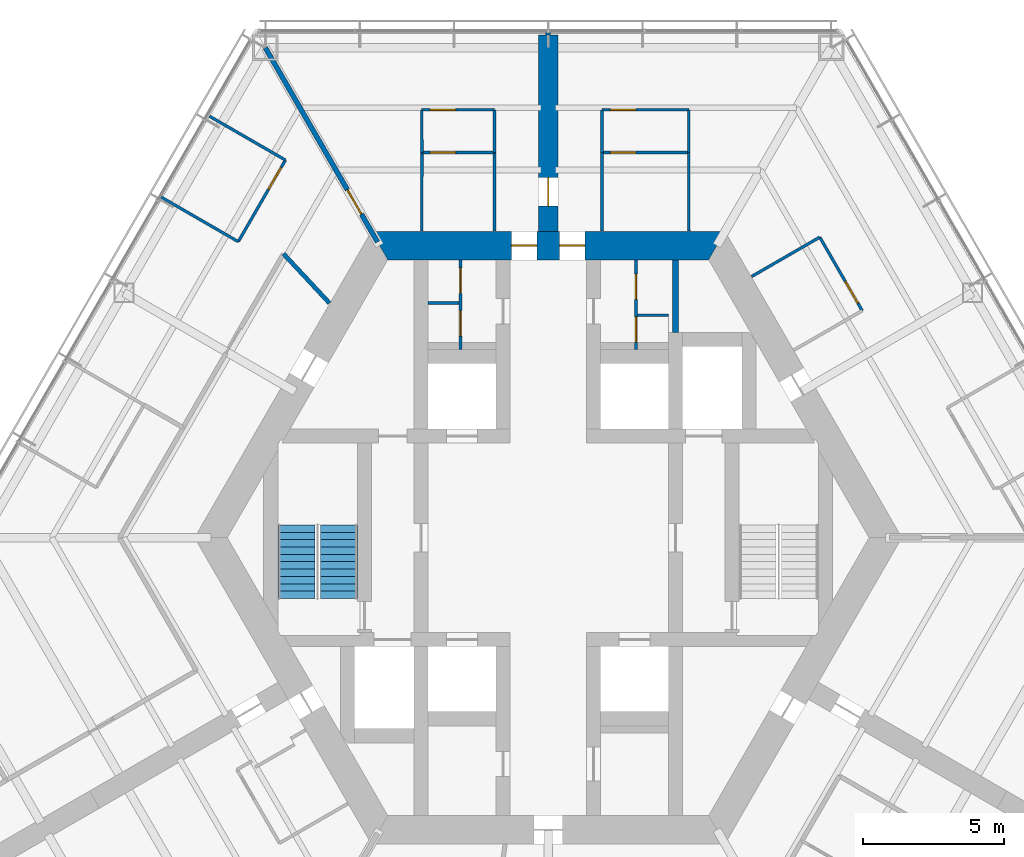
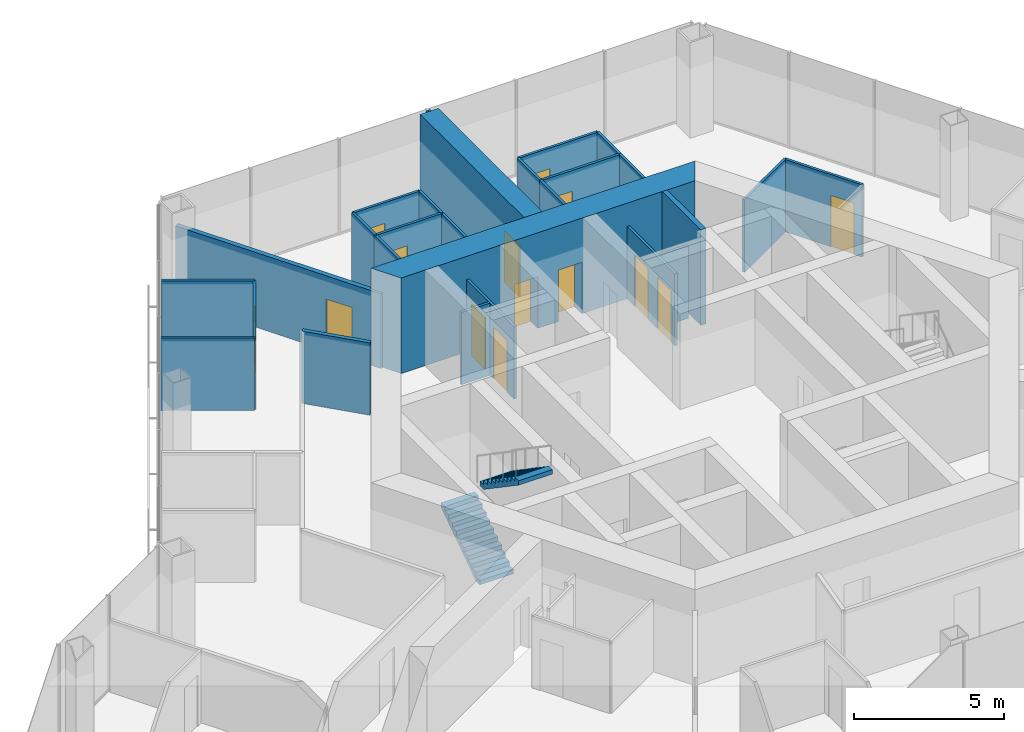
# One storey, part 15 of 18: 27 walls, 14 doors, 2 stair flights, 14 openings, 1 element without a shape of its own.
"""IFC4 building model written with IfcOpenShell, lengths in metres."""

from ifc_helpers import new_model, si_unit, direction, frame, frame_2d, origin, place, context, subcontext, project, spatial, polyline, rectangle, outline, extrude, material, layer, layer_set, type_object, element, fill, aggregate, save


model = new_model("IFC4")

# Units and contexts
model_context = context("Model", 3, precision=1e-05, world=origin(), true_north=direction((0.0, 1.0)))
body_context = subcontext(model_context, "Body", "Model", "MODEL_VIEW")
ifc_project = project(units=[si_unit("LENGTHUNIT", "METRE"), si_unit("AREAUNIT", "SQUARE_METRE"), si_unit("VOLUMEUNIT", "CUBIC_METRE"), si_unit("PLANEANGLEUNIT", "RADIAN"), si_unit("MASSUNIT", "GRAM", prefix="KILO")], contexts=[model_context])

# Site, building, storey
site_placement = place(None, origin())
site = spatial("IfcSite", under=ifc_project, at=site_placement, CompositionType="ELEMENT")
building_placement = place(site_placement, origin())
building = spatial("IfcBuilding", under=site, at=building_placement, Name="Kasaneha Research Tower", CompositionType="ELEMENT")
storey_placement = place(building_placement, frame((0.0, 0.0, 133.10009765625)))
storey = spatial("IfcBuildingStorey", under=building, at=storey_placement, Name="L33", CompositionType="ELEMENT", Elevation=133.10009765625)

# Wall, openings, doors
ifc_material_1 = material(Name="Concrete Fc70", Category="concrete")
ifc_layer_1 = layer(ifc_material_1, 1.0)
ifc_layer_set_1 = layer_set([ifc_layer_1], Name="Core wall 1000 Fc70")
wall_type_1 = type_object("IfcWallType", Name="Core wall 1000 Fc70", PredefinedType="SHEAR", material=ifc_layer_set_1)
wall_1_placement = place(storey_placement, frame((5.961181640625, 10.324951171875, 0.0), z_axis=(0.0, 0.0, 1.0), x_axis=(-1.0, 0.0, 0.0)))
wall_1 = element("IfcWall", 1, at=wall_1_placement, inside=storey, type_object=wall_type_1, Name="Core wall 090 L33", PredefinedType="SHEAR", context=body_context, shape_type="SweptSolid", body=[
    extrude(outline(polyline([(-0.28857421875, -0.5), (4.6611328125, -0.5), (5.56103515625, -0.5), (6.361083984375, -0.5), (7.260986328125, -0.5), (12.2109375, -0.5), (11.6337890625, 0.5), (7.260986328125, 0.5), (6.361083984375, 0.5), (5.56103515625, 0.5), (4.6611328125, 0.5), (0.28857421875, 0.5), (-0.28857421875, -0.5)])), origin(), (0.0, 0.0, 1.0), 3.89990234375),
])
opening_1_placement = place(wall_1_placement, frame((6.361083984375, 0.0, 0.0)))
opening_1 = element("IfcOpeningElement", 2, at=opening_1_placement, cuts=wall_1, Name="Opening L33-D01", PredefinedType="OPENING", context=body_context, shape_type="SweptSolid", body=[
    extrude(rectangle(XDim=0.89990234375, YDim=2.10009765625, at=frame_2d((0.449951171875, 1.050048828125))), frame((0.0, 0.510009765625, 0.0), z_axis=(0.0, -1.0, 0.0), x_axis=(1.0, 0.0, 0.0)), (0.0, 0.0, 1.0), 1.02001953125),
])
opening_2_placement = place(wall_1_placement, frame((4.6611328125, 0.0, 0.0)))
opening_2 = element("IfcOpeningElement", 3, at=opening_2_placement, cuts=wall_1, Name="Opening L33-D02", PredefinedType="OPENING", context=body_context, shape_type="SweptSolid", body=[
    extrude(rectangle(XDim=0.89990234375, YDim=2.10009765625, at=frame_2d((0.449951171875, 1.050048828125))), frame((0.0, 0.510009765625, 0.0), z_axis=(0.0, -1.0, 0.0), x_axis=(1.0, 0.0, 0.0)), (0.0, 0.0, 1.0), 1.02001953125),
])
ifc_material_2 = material(Name="Steel", Category="steel")
door_type_1 = type_object("IfcDoorType", Name="Toilet door FD20 900x2100", OperationType="NOTDEFINED", PredefinedType="DOOR", material=ifc_material_2)
door_1_placement = place(opening_1_placement, origin())
door_1 = element("IfcDoor", 4, at=door_1_placement, inside=storey, type_object=door_type_1, Name="Core door north 1 L33-D01", OperationType="SINGLE_SWING_RIGHT", OverallHeight=2.10009765625, OverallWidth=0.89990234375, PredefinedType="DOOR", context=body_context, shape_type="SweptSolid", body=[
    extrude(rectangle(XDim=0.89990234375, YDim=2.10009765625, at=frame_2d((0.449951171875, 1.050048828125))), frame((0.0, 0.02490234375, 0.0), z_axis=(0.0, -1.0, 0.0), x_axis=(1.0, 0.0, 0.0)), (0.0, 0.0, 1.0), 0.050048828125),
])
fill(opening_1, door_1)
door_2_placement = place(opening_2_placement, origin())
door_2 = element("IfcDoor", 5, at=door_2_placement, inside=storey, type_object=door_type_1, Name="Core door north 2 L33-D02", OperationType="SINGLE_SWING_LEFT", OverallHeight=2.10009765625, OverallWidth=0.89990234375, PredefinedType="DOOR", context=body_context, shape_type="SweptSolid", body=[
    extrude(rectangle(XDim=0.89990234375, YDim=2.10009765625, at=frame_2d((0.449951171875, 1.050048828125))), frame((0.0, 0.02490234375, 0.0), z_axis=(0.0, -1.0, 0.0), x_axis=(1.0, 0.0, 0.0)), (0.0, 0.0, 1.0), 0.050048828125),
])
fill(opening_2, door_2)

ifc_material_3 = material(Name="Gypsum board on steel studs, one layer each side", Category="steel")
ifc_layer_2 = layer(ifc_material_3, 0.10009765625)
ifc_layer_set_2 = layer_set([ifc_layer_2], Name="Office partition 100")
wall_type_2 = type_object("IfcWallType", Name="Office partition 100", PredefinedType="PARTITIONING", material=ifc_layer_set_2)
wall_2_placement = place(storey_placement, frame((-3.10009765625, 6.64990234375, 0.0), z_axis=(0.0, 0.0, 1.0), x_axis=(0.0, 1.0, 0.0)))
wall_2 = element("IfcWall", 6, at=wall_2_placement, inside=storey, type_object=wall_type_2, Name="Office partition TBM1 L33", PredefinedType="PARTITIONING", context=body_context, shape_type="SweptSolid", body=[
    extrude(rectangle(XDim=3.175048828125, YDim=0.10009765625, at=frame_2d((1.58740234375, 0.0))), origin(), (0.0, 0.0, 1.0), 2.949951171875),
])
opening_3_placement = place(wall_2_placement, frame((0.47509765625, 0.0, 0.0)))
opening_3 = element("IfcOpeningElement", 7, at=opening_3_placement, cuts=wall_2, Name="Opening L33-D20", PredefinedType="OPENING", context=body_context, shape_type="SweptSolid", body=[
    extrude(rectangle(XDim=0.89990234375, YDim=2.10009765625, at=frame_2d((0.449951171875, 1.050048828125))), frame((0.0, 0.06005859375, 0.0), z_axis=(0.0, -1.0, 0.0), x_axis=(1.0, 0.0, 0.0)), (0.0, 0.0, 1.0), 0.1201171875),
])
opening_4_placement = place(wall_2_placement, frame((1.987548828125, 0.0, 0.0)))
opening_4 = element("IfcOpeningElement", 8, at=opening_4_placement, cuts=wall_2, Name="Opening L33-D21", PredefinedType="OPENING", context=body_context, shape_type="SweptSolid", body=[
    extrude(rectangle(XDim=0.89990234375, YDim=2.10009765625, at=frame_2d((0.449951171875, 1.050048828125))), frame((0.0, 0.06005859375, 0.0), z_axis=(0.0, -1.0, 0.0), x_axis=(1.0, 0.0, 0.0)), (0.0, 0.0, 1.0), 0.1201171875),
])
ifc_material_4 = material(Name="Steel", Category="steel")
door_type_2 = type_object("IfcDoorType", Name="Toilet lobby door FD30 900x2100", OperationType="NOTDEFINED", PredefinedType="DOOR", material=ifc_material_4)
door_3_placement = place(opening_3_placement, origin())
door_3 = element("IfcDoor", 9, at=door_3_placement, inside=storey, type_object=door_type_2, Name="Men's WC door L33-D20", OperationType="SINGLE_SWING_RIGHT", OverallHeight=2.10009765625, OverallWidth=0.89990234375, PredefinedType="DOOR", context=body_context, shape_type="SweptSolid", body=[
    extrude(rectangle(XDim=0.89990234375, YDim=2.10009765625, at=frame_2d((0.449951171875, 1.050048828125))), frame((0.0, 0.02490234375, 0.0), z_axis=(0.0, -1.0, 0.0), x_axis=(1.0, 0.0, 0.0)), (0.0, 0.0, 1.0), 0.050048828125),
])
fill(opening_3, door_3)
door_4_placement = place(opening_4_placement, origin())
door_4 = element("IfcDoor", 10, at=door_4_placement, inside=storey, type_object=door_type_2, Name="Cleaner's store door L33-D21", OperationType="SINGLE_SWING_RIGHT", OverallHeight=2.10009765625, OverallWidth=0.89990234375, PredefinedType="DOOR", context=body_context, shape_type="SweptSolid", body=[
    extrude(rectangle(XDim=0.89990234375, YDim=2.10009765625, at=frame_2d((0.449951171875, 1.050048828125))), frame((0.0, 0.02490234375, 0.0), z_axis=(0.0, -1.0, 0.0), x_axis=(1.0, 0.0, 0.0)), (0.0, 0.0, 1.0), 0.050048828125),
])
fill(opening_4, door_4)

# Wall
wall_3_placement = place(storey_placement, frame((-3.14990234375, 8.300048828125, 0.0), z_axis=(0.0, 0.0, 1.0), x_axis=(-1.0, 0.0, 0.0)))
element("IfcWall", 11, at=wall_3_placement, inside=storey, type_object=wall_type_2, Name="Office partition TBM2 L33", PredefinedType="PARTITIONING", context=body_context, shape_type="SweptSolid", body=[
    extrude(rectangle(XDim=1.10009765625, YDim=0.10009765625, at=frame_2d((0.550048828125, 0.0))), origin(), (0.0, 0.0, 1.0), 2.949951171875),
])

# Wall, openings, doors
wall_4_placement = place(storey_placement, frame((3.10009765625, 6.64990234375, 0.0), z_axis=(0.0, 0.0, 1.0), x_axis=(0.0, 1.0, 0.0)))
wall_4 = element("IfcWall", 12, at=wall_4_placement, inside=storey, type_object=wall_type_2, Name="Office partition TBF1 L33", PredefinedType="PARTITIONING", context=body_context, shape_type="SweptSolid", body=[
    extrude(rectangle(XDim=3.175048828125, YDim=0.10009765625, at=frame_2d((1.58740234375, 0.0))), origin(), (0.0, 0.0, 1.0), 2.949951171875),
])
opening_5_placement = place(wall_4_placement, frame((0.258056640625, 0.0, 0.0)))
opening_5 = element("IfcOpeningElement", 13, at=opening_5_placement, cuts=wall_4, Name="Opening L33-D22", PredefinedType="OPENING", context=body_context, shape_type="SweptSolid", body=[
    extrude(rectangle(XDim=0.89990234375, YDim=2.10009765625, at=frame_2d((0.449951171875, 1.050048828125))), frame((0.0, 0.06005859375, 0.0), z_axis=(0.0, -1.0, 0.0), x_axis=(1.0, 0.0, 0.0)), (0.0, 0.0, 1.0), 0.1201171875),
])
opening_6_placement = place(wall_4_placement, frame((1.7705078125, 0.0, 0.0)))
opening_6 = element("IfcOpeningElement", 14, at=opening_6_placement, cuts=wall_4, Name="Opening L33-D23", PredefinedType="OPENING", context=body_context, shape_type="SweptSolid", body=[
    extrude(rectangle(XDim=0.89990234375, YDim=2.10009765625, at=frame_2d((0.449951171875, 1.050048828125))), frame((0.0, 0.06005859375, 0.0), z_axis=(0.0, -1.0, 0.0), x_axis=(1.0, 0.0, 0.0)), (0.0, 0.0, 1.0), 0.1201171875),
])
door_5_placement = place(opening_5_placement, origin())
door_5 = element("IfcDoor", 15, at=door_5_placement, inside=storey, type_object=door_type_2, Name="Women's WC door L33-D22", OperationType="SINGLE_SWING_RIGHT", OverallHeight=2.10009765625, OverallWidth=0.89990234375, PredefinedType="DOOR", context=body_context, shape_type="SweptSolid", body=[
    extrude(rectangle(XDim=0.89990234375, YDim=2.10009765625, at=frame_2d((0.449951171875, 1.050048828125))), frame((0.0, 0.02490234375, 0.0), z_axis=(0.0, -1.0, 0.0), x_axis=(1.0, 0.0, 0.0)), (0.0, 0.0, 1.0), 0.050048828125),
])
fill(opening_5, door_5)
door_6_placement = place(opening_6_placement, origin())
door_6 = element("IfcDoor", 16, at=door_6_placement, inside=storey, type_object=door_type_2, Name="Shower room door L33-D23", OperationType="SINGLE_SWING_RIGHT", OverallHeight=2.10009765625, OverallWidth=0.89990234375, PredefinedType="DOOR", context=body_context, shape_type="SweptSolid", body=[
    extrude(rectangle(XDim=0.89990234375, YDim=2.10009765625, at=frame_2d((0.449951171875, 1.050048828125))), frame((0.0, 0.02490234375, 0.0), z_axis=(0.0, -1.0, 0.0), x_axis=(1.0, 0.0, 0.0)), (0.0, 0.0, 1.0), 0.050048828125),
])
fill(opening_6, door_6)

# Wall
wall_5_placement = place(storey_placement, frame((3.14990234375, 7.865966796875, 0.0), z_axis=(0.0, 0.0, 1.0), x_axis=(1.0, 0.0, 0.0)))
element("IfcWall", 17, at=wall_5_placement, inside=storey, type_object=wall_type_2, Name="Office partition TBF2 L33", PredefinedType="PARTITIONING", context=body_context, shape_type="SweptSolid", body=[
    extrude(rectangle(XDim=1.10009765625, YDim=0.10009765625, at=frame_2d((0.550048828125, 0.0))), origin(), (0.0, 0.0, 1.0), 2.949951171875),
])

# Wall, opening, door
wall_6_placement = place(storey_placement, frame((1.89990234375, 13.6201171875, 0.0), z_axis=(0.0, 0.0, 1.0), x_axis=(1.0, 0.0, 0.0)))
wall_6 = element("IfcWall", 18, at=wall_6_placement, inside=storey, type_object=wall_type_2, Name="Office partition FAE01 L33", PredefinedType="PARTITIONING", context=body_context, shape_type="SweptSolid", body=[
    extrude(rectangle(XDim=3.071044921875, YDim=0.10009765625, at=frame_2d((1.53564453125, 0.0))), origin(), (0.0, 0.0, 1.0), 2.949951171875),
])
opening_7_placement = place(wall_6_placement, frame((0.300048828125, 0.0, 0.0)))
opening_7 = element("IfcOpeningElement", 19, at=opening_7_placement, cuts=wall_6, Name="Opening L33-D27", PredefinedType="OPENING", context=body_context, shape_type="SweptSolid", body=[
    extrude(rectangle(XDim=0.89990234375, YDim=2.10009765625, at=frame_2d((0.449951171875, 1.050048828125))), frame((0.0, 0.06005859375, 0.0), z_axis=(0.0, -1.0, 0.0), x_axis=(1.0, 0.0, 0.0)), (0.0, 0.0, 1.0), 0.1201171875),
])
door_7_placement = place(opening_7_placement, origin())
door_7 = element("IfcDoor", 20, at=door_7_placement, inside=storey, type_object=door_type_2, Name="Women's WC door L33-D27", OperationType="SINGLE_SWING_LEFT", OverallHeight=2.10009765625, OverallWidth=0.89990234375, PredefinedType="DOOR", context=body_context, shape_type="SweptSolid", body=[
    extrude(rectangle(XDim=0.89990234375, YDim=2.10009765625, at=frame_2d((0.449951171875, 1.050048828125))), frame((0.0, 0.02490234375, 0.0), z_axis=(0.0, -1.0, 0.0), x_axis=(1.0, 0.0, 0.0)), (0.0, 0.0, 1.0), 0.050048828125),
])
fill(opening_7, door_7)

# Walls
for number, where, z_axis, x_axis, name in (
    (21, (1.89990234375, 10.844970703125, 0.0), (0.0, 0.0, 1.0), (0.001668567099, 0.999998607941, 0.0), "Office partition FAE02 L33"),
    (22, (4.96630859375, 13.625, 0.0), (0.0, 0.0, 1.0), (0.001668567099, -0.999998607941, 0.0), "Office partition FAE03 L33"),
):
    element("IfcWall", number, at=place(storey_placement, frame(where, z_axis=z_axis, x_axis=x_axis)), inside=storey, type_object=wall_type_2, Name=name, PredefinedType="PARTITIONING", context=body_context, shape_type="SweptSolid", body=[
        extrude(rectangle(XDim=2.780029296875, YDim=0.10009765625, at=frame_2d((1.39013671875, 0.0))), origin(), (0.0, 0.0, 1.0), 2.949951171875),
    ])

# Wall, opening, door
wall_7_placement = place(storey_placement, frame((1.89990234375, 15.125, 0.0), z_axis=(0.0, 0.0, 1.0), x_axis=(1.0, 0.0, 0.0)))
wall_7 = element("IfcWall", 23, at=wall_7_placement, inside=storey, type_object=wall_type_2, Name="Office partition FAE04 L33", PredefinedType="PARTITIONING", context=body_context, shape_type="SweptSolid", body=[
    extrude(rectangle(XDim=3.071044921875, YDim=0.10009765625, at=frame_2d((1.53564453125, 0.0))), origin(), (0.0, 0.0, 1.0), 2.949951171875),
])
opening_8_placement = place(wall_7_placement, frame((0.300048828125, 0.0, 0.0)))
opening_8 = element("IfcOpeningElement", 24, at=opening_8_placement, cuts=wall_7, Name="Opening L33-D28", PredefinedType="OPENING", context=body_context, shape_type="SweptSolid", body=[
    extrude(rectangle(XDim=0.89990234375, YDim=2.10009765625, at=frame_2d((0.449951171875, 1.050048828125))), frame((0.0, 0.06005859375, 0.0), z_axis=(0.0, -1.0, 0.0), x_axis=(1.0, 0.0, 0.0)), (0.0, 0.0, 1.0), 0.1201171875),
])
door_8_placement = place(opening_8_placement, origin())
door_8 = element("IfcDoor", 25, at=door_8_placement, inside=storey, type_object=door_type_2, Name="Toilet lobby door L33-D28", OperationType="SINGLE_SWING_LEFT", OverallHeight=2.10009765625, OverallWidth=0.89990234375, PredefinedType="DOOR", context=body_context, shape_type="SweptSolid", body=[
    extrude(rectangle(XDim=0.89990234375, YDim=2.10009765625, at=frame_2d((0.449951171875, 1.050048828125))), frame((0.0, 0.02490234375, 0.0), z_axis=(0.0, -1.0, 0.0), x_axis=(1.0, 0.0, 0.0)), (0.0, 0.0, 1.0), 0.050048828125),
])
fill(opening_8, door_8)

# Walls
for number, where, z_axis, x_axis, name in (
    (26, (1.904541015625, 13.625, 0.0), (0.0, 0.0, 1.0), (-0.00309243313, 0.999995218417, 0.0), "Office partition FAE05 L33"),
    (27, (4.970947265625, 15.125, 0.0), (0.0, 0.0, 1.0), (-0.00309243313, -0.999995218417, 0.0), "Office partition FAE06 L33"),
):
    element("IfcWall", number, at=place(storey_placement, frame(where, z_axis=z_axis, x_axis=x_axis)), inside=storey, type_object=wall_type_2, Name=name, PredefinedType="PARTITIONING", context=body_context, shape_type="SweptSolid", body=[
        extrude(rectangle(XDim=1.5, YDim=0.10009765625, at=frame_2d((0.75, 0.0))), origin(), (0.0, 0.0, 1.0), 2.949951171875),
    ])
wall_8_placement = place(storey_placement, frame((7.19189453125, 9.23291015625, 0.0), z_axis=(0.0, 0.0, 1.0), x_axis=(0.866018876994, 0.500011304563, 0.0)))
element("IfcWall", 28, at=wall_8_placement, inside=storey, type_object=wall_type_2, Name="Office partition FAE07 L33", PredefinedType="PARTITIONING", context=body_context, shape_type="SweptSolid", body=[
    extrude(rectangle(XDim=2.7802734375, YDim=0.10009765625, at=frame_2d((1.39013671875, 0.0))), origin(), (0.0, 0.0, 1.0), 2.949951171875),
])

# Wall, opening, door
wall_9_placement = place(storey_placement, frame((9.599609375, 10.623046875, 0.0), z_axis=(0.0, 0.0, 1.0), x_axis=(0.499990139034, -0.866031096941, 0.0)))
wall_9 = element("IfcWall", 29, at=wall_9_placement, inside=storey, type_object=wall_type_2, Name="Office partition FAE08 L33", PredefinedType="PARTITIONING", context=body_context, shape_type="SweptSolid", body=[
    extrude(rectangle(XDim=3.0, YDim=0.10009765625, at=frame_2d((1.5, 0.0))), origin(), (0.0, 0.0, 1.0), 2.949951171875),
])
opening_9_placement = place(wall_9_placement, frame((1.800048828125, 0.0, 0.0)))
opening_9 = element("IfcOpeningElement", 30, at=opening_9_placement, cuts=wall_9, Name="Opening L33-D29", PredefinedType="OPENING", context=body_context, shape_type="SweptSolid", body=[
    extrude(rectangle(XDim=0.89990234375, YDim=2.10009765625, at=frame_2d((0.449951171875, 1.050048828125))), frame((0.0, 0.06005859375, 0.0), z_axis=(0.0, -1.0, 0.0), x_axis=(1.0, 0.0, 0.0)), (0.0, 0.0, 1.0), 0.1201171875),
])
ifc_material_5 = material(Name="Timber veneer", Category="wood")
door_type_3 = type_object("IfcDoorType", Name="Office door 900x2100", OperationType="SINGLE_SWING_LEFT", PredefinedType="DOOR", material=ifc_material_5)
door_9_placement = place(opening_9_placement, origin())
door_9 = element("IfcDoor", 31, at=door_9_placement, inside=storey, type_object=door_type_3, Name="Pantry door L33-D29", OperationType="SINGLE_SWING_RIGHT", OverallHeight=2.10009765625, OverallWidth=0.89990234375, PredefinedType="DOOR", context=body_context, shape_type="SweptSolid", body=[
    extrude(rectangle(XDim=0.89990234375, YDim=2.10009765625, at=frame_2d((0.449951171875, 1.050048828125))), frame((0.0, 0.02490234375, 0.0), z_axis=(0.0, -1.0, 0.0), x_axis=(1.0, 0.0, 0.0)), (0.0, 0.0, 1.0), 0.050048828125),
])
fill(opening_9, door_9)

wall_10_placement = place(storey_placement, frame((-4.470947265625, 13.6201171875, 0.0), z_axis=(0.0, 0.0, 1.0), x_axis=(1.0, 0.0, 0.0)))
wall_10 = element("IfcWall", 32, at=wall_10_placement, inside=storey, type_object=wall_type_2, Name="Office partition FAW01 L33", PredefinedType="PARTITIONING", context=body_context, shape_type="SweptSolid", body=[
    extrude(rectangle(XDim=2.571044921875, YDim=0.10009765625, at=frame_2d((1.28564453125, 0.0))), origin(), (0.0, 0.0, 1.0), 2.949951171875),
])
opening_10_placement = place(wall_10_placement, frame((0.300048828125, 0.0, 0.0)))
opening_10 = element("IfcOpeningElement", 33, at=opening_10_placement, cuts=wall_10, Name="Opening L33-D32", PredefinedType="OPENING", context=body_context, shape_type="SweptSolid", body=[
    extrude(rectangle(XDim=0.89990234375, YDim=2.10009765625, at=frame_2d((0.449951171875, 1.050048828125))), frame((0.0, 0.06005859375, 0.0), z_axis=(0.0, -1.0, 0.0), x_axis=(1.0, 0.0, 0.0)), (0.0, 0.0, 1.0), 0.1201171875),
])
door_10_placement = place(opening_10_placement, origin())
door_10 = element("IfcDoor", 34, at=door_10_placement, inside=storey, type_object=door_type_2, Name="Men's WC door L33-D32", OperationType="SINGLE_SWING_LEFT", OverallHeight=2.10009765625, OverallWidth=0.89990234375, PredefinedType="DOOR", context=body_context, shape_type="SweptSolid", body=[
    extrude(rectangle(XDim=0.89990234375, YDim=2.10009765625, at=frame_2d((0.449951171875, 1.050048828125))), frame((0.0, 0.02490234375, 0.0), z_axis=(0.0, -1.0, 0.0), x_axis=(1.0, 0.0, 0.0)), (0.0, 0.0, 1.0), 0.050048828125),
])
fill(opening_10, door_10)

# Walls
for number, where, z_axis, x_axis, name in (
    (35, (-4.470947265625, 10.844970703125, 0.0), (0.0, 0.0, 1.0), (0.001668567099, 0.999998607941, 0.0), "Office partition FAW02 L33"),
    (36, (-1.90478515625, 13.625, 0.0), (0.0, 0.0, 1.0), (0.001756386155, -0.999998457553, 0.0), "Office partition FAW03 L33"),
):
    element("IfcWall", number, at=place(storey_placement, frame(where, z_axis=z_axis, x_axis=x_axis)), inside=storey, type_object=wall_type_2, Name=name, PredefinedType="PARTITIONING", context=body_context, shape_type="SweptSolid", body=[
        extrude(rectangle(XDim=2.780029296875, YDim=0.10009765625, at=frame_2d((1.39013671875, 0.0))), origin(), (0.0, 0.0, 1.0), 2.949951171875),
    ])

# Wall, opening, door
wall_11_placement = place(storey_placement, frame((-4.470947265625, 15.125, 0.0), z_axis=(0.0, 0.0, 1.0), x_axis=(1.0, 0.0, 0.0)))
wall_11 = element("IfcWall", 37, at=wall_11_placement, inside=storey, type_object=wall_type_2, Name="Office partition FAW04 L33", PredefinedType="PARTITIONING", context=body_context, shape_type="SweptSolid", body=[
    extrude(rectangle(XDim=2.571044921875, YDim=0.10009765625, at=frame_2d((1.28564453125, 0.0))), origin(), (0.0, 0.0, 1.0), 2.949951171875),
])
opening_11_placement = place(wall_11_placement, frame((0.300048828125, 0.0, 0.0)))
opening_11 = element("IfcOpeningElement", 38, at=opening_11_placement, cuts=wall_11, Name="Opening L33-D33", PredefinedType="OPENING", context=body_context, shape_type="SweptSolid", body=[
    extrude(rectangle(XDim=0.89990234375, YDim=2.10009765625, at=frame_2d((0.449951171875, 1.050048828125))), frame((0.0, 0.06005859375, 0.0), z_axis=(0.0, -1.0, 0.0), x_axis=(1.0, 0.0, 0.0)), (0.0, 0.0, 1.0), 0.1201171875),
])
door_11_placement = place(opening_11_placement, origin())
door_11 = element("IfcDoor", 39, at=door_11_placement, inside=storey, type_object=door_type_2, Name="Toilet lobby door L33-D33", OperationType="SINGLE_SWING_LEFT", OverallHeight=2.10009765625, OverallWidth=0.89990234375, PredefinedType="DOOR", context=body_context, shape_type="SweptSolid", body=[
    extrude(rectangle(XDim=0.89990234375, YDim=2.10009765625, at=frame_2d((0.449951171875, 1.050048828125))), frame((0.0, 0.02490234375, 0.0), z_axis=(0.0, -1.0, 0.0), x_axis=(1.0, 0.0, 0.0)), (0.0, 0.0, 1.0), 0.050048828125),
])
fill(opening_11, door_11)

# Walls
for number, where, z_axis, x_axis, name in (
    (40, (-4.46630859375, 13.625, 0.0), (0.0, 0.0, 1.0), (-0.00309243313, 0.999995218417, 0.0), "Office partition FAW05 L33"),
    (41, (-1.89990234375, 15.125, 0.0), (0.0, 0.0, 1.0), (-0.003255191087, -0.999994701851, 0.0), "Office partition FAW06 L33"),
):
    element("IfcWall", number, at=place(storey_placement, frame(where, z_axis=z_axis, x_axis=x_axis)), inside=storey, type_object=wall_type_2, Name=name, PredefinedType="PARTITIONING", context=body_context, shape_type="SweptSolid", body=[
        extrude(rectangle(XDim=1.5, YDim=0.10009765625, at=frame_2d((0.75, 0.0))), origin(), (0.0, 0.0, 1.0), 2.949951171875),
    ])
wall_12_placement = place(storey_placement, frame((-11.979736328125, 14.901611328125, 0.0), z_axis=(0.0, 0.0, 1.0), x_axis=(0.866042875753, -0.499969736442, 0.0)))
element("IfcWall", 42, at=wall_12_placement, inside=storey, type_object=wall_type_2, Name="Office partition FBN11 L33", PredefinedType="PARTITIONING", context=body_context, shape_type="SweptSolid", body=[
    extrude(rectangle(XDim=3.105224609375, YDim=0.10009765625, at=frame_2d((1.552734375, 0.0))), origin(), (0.0, 0.0, 1.0), 2.949951171875),
])
wall_13_placement = place(storey_placement, frame((-10.9560546875, 10.464599609375, 0.0), z_axis=(0.0, 0.0, 1.0), x_axis=(-0.866012296238, 0.500022702249, 0.0)))
element("IfcWall", 43, at=wall_13_placement, inside=storey, type_object=wall_type_2, Name="Office partition FBN12 L33", PredefinedType="PARTITIONING", context=body_context, shape_type="SweptSolid", body=[
    extrude(rectangle(XDim=3.143798828125, YDim=0.10009765625, at=frame_2d((1.57177734375, 0.0))), origin(), (0.0, 0.0, 1.0), 2.949951171875),
])

# Wall, opening, door
wall_14_placement = place(storey_placement, frame((-9.29052734375, 13.34912109375, 0.0), z_axis=(0.0, 0.0, 1.0), x_axis=(-0.500033344505, -0.86600615147, 0.0)))
wall_14 = element("IfcWall", 44, at=wall_14_placement, inside=storey, type_object=wall_type_2, Name="Office partition FBN13 L33", PredefinedType="PARTITIONING", context=body_context, shape_type="SweptSolid", body=[
    extrude(rectangle(XDim=3.330810546875, YDim=0.10009765625, at=frame_2d((1.66552734375, 0.0))), origin(), (0.0, 0.0, 1.0), 2.949951171875),
])
opening_12_placement = place(wall_14_placement, frame((0.300048828125, 0.0, 0.0)))
opening_12 = element("IfcOpeningElement", 45, at=opening_12_placement, cuts=wall_14, Name="Opening L33-D38", PredefinedType="OPENING", context=body_context, shape_type="SweptSolid", body=[
    extrude(rectangle(XDim=0.89990234375, YDim=2.10009765625, at=frame_2d((0.449951171875, 1.050048828125))), frame((0.0, 0.06005859375, 0.0), z_axis=(0.0, -1.0, 0.0), x_axis=(1.0, 0.0, 0.0)), (0.0, 0.0, 1.0), 0.1201171875),
])
door_12_placement = place(opening_12_placement, origin())
door_12 = element("IfcDoor", 46, at=door_12_placement, inside=storey, type_object=door_type_3, Name="Project room door L33-D38", OperationType="SINGLE_SWING_LEFT", OverallHeight=2.10009765625, OverallWidth=0.89990234375, PredefinedType="DOOR", context=body_context, shape_type="SweptSolid", body=[
    extrude(rectangle(XDim=0.89990234375, YDim=2.10009765625, at=frame_2d((0.449951171875, 1.050048828125))), frame((0.0, 0.02490234375, 0.0), z_axis=(0.0, -1.0, 0.0), x_axis=(1.0, 0.0, 0.0)), (0.0, 0.0, 1.0), 0.050048828125),
])
fill(opening_12, door_12)

# Wall
ifc_material_6 = material(Name="Concrete block", Category="concrete")
ifc_layer_3 = layer(ifc_material_6, 0.199951171875)
ifc_layer_set_3 = layer_set([ifc_layer_3], Name="Riser enclosure wall 200")
wall_type_3 = type_object("IfcWallType", Name="Riser enclosure wall 200", PredefinedType="STANDARD", material=ifc_layer_set_3)
wall_15_placement = place(storey_placement, frame((4.5, 7.25, 0.0), z_axis=(0.0, 0.0, 1.0), x_axis=(0.0, 1.0, 0.0)))
element("IfcWall", 47, at=wall_15_placement, inside=storey, type_object=wall_type_3, Name="Riser enclosure wall L33", PredefinedType="STANDARD", context=body_context, shape_type="SweptSolid", body=[
    extrude(rectangle(XDim=2.574951171875, YDim=0.199951171875, at=frame_2d((1.28759765625, 0.0))), origin(), (0.0, 0.0, 1.0), 3.89990234375),
])

# Wall, opening, door
ifc_material_7 = material(Name="Concrete Fc70", Category="concrete")
ifc_layer_4 = layer(ifc_material_7, 0.699951171875)
ifc_layer_set_4 = layer_set([ifc_layer_4], Name="Spine wall 700 Fc70")
wall_type_4 = type_object("IfcWallType", Name="Spine wall 700 Fc70", PredefinedType="SHEAR", material=ifc_layer_set_4)
wall_16_placement = place(storey_placement, frame((0.0, 10.824951171875, 0.0), z_axis=(0.0, 0.0, 1.0), x_axis=(0.0, 1.0, 0.0)))
wall_16 = element("IfcWall", 48, at=wall_16_placement, inside=storey, type_object=wall_type_4, Name="Spine wall A L33", PredefinedType="SHEAR", context=body_context, shape_type="SweptSolid", body=[
    extrude(rectangle(XDim=6.945556640625, YDim=0.699951171875, at=frame_2d((3.47265625, 0.0))), origin(), (0.0, 0.0, 1.0), 3.89990234375),
])
opening_13_placement = place(wall_16_placement, frame((0.89990234375, 0.0, 0.0)))
opening_13 = element("IfcOpeningElement", 49, at=opening_13_placement, cuts=wall_16, Name="Opening L33-D17", PredefinedType="OPENING", context=body_context, shape_type="SweptSolid", body=[
    extrude(rectangle(XDim=1.0, YDim=2.10009765625, at=frame_2d((0.5, 1.050048828125))), frame((0.0, 0.35986328125, 0.0), z_axis=(0.0, -1.0, 0.0), x_axis=(1.0, 0.0, 0.0)), (0.0, 0.0, 1.0), 0.719970703125),
])
ifc_material_8 = material(Name="Steel", Category="steel")
door_type_4 = type_object("IfcDoorType", Name="Specified fire door FD60 1000x2100", OperationType="NOTDEFINED", PredefinedType="DOOR", material=ifc_material_8)
door_13_placement = place(opening_13_placement, origin())
door_13 = element("IfcDoor", 50, at=door_13_placement, inside=storey, type_object=door_type_4, Name="Spine doorway A L33-D17", OperationType="SINGLE_SWING_LEFT", OverallHeight=2.10009765625, OverallWidth=1.0, PredefinedType="DOOR", context=body_context, shape_type="SweptSolid", body=[
    extrude(rectangle(XDim=1.0, YDim=2.10009765625, at=frame_2d((0.5, 1.050048828125))), frame((0.0, 0.02490234375, 0.0), z_axis=(0.0, -1.0, 0.0), x_axis=(1.0, 0.0, 0.0)), (0.0, 0.0, 1.0), 0.050048828125),
])
fill(opening_13, door_13)

# Wall
ifc_material_9 = material(Name="Gypsum board on steel studs, two layers each side", Category="steel")
ifc_layer_5 = layer(ifc_material_9, 0.14990234375)
ifc_layer_set_5 = layer_set([ifc_layer_5], Name="Suite partition 150")
wall_type_5 = type_object("IfcWallType", Name="Suite partition 150", PredefinedType="PARTITIONING", material=ifc_layer_set_5)
wall_17_placement = place(storey_placement, frame((-9.360107421875, 10.03759765625, 0.0), z_axis=(0.0, 0.0, 1.0), x_axis=(0.681997114248, -0.731354863358, 0.0)))
element("IfcWall", 51, at=wall_17_placement, inside=storey, type_object=wall_type_5, Name="Suite partition FBN07 L33", PredefinedType="PARTITIONING", context=body_context, shape_type="SweptSolid", body=[
    extrude(outline(polyline([(0.0, -0.074951171875), (2.384033203125, -0.074951171875), (2.384033203125, 0.0), (2.382080078125, 0.074951171875), (0.0, 0.074951171875), (0.0, -0.074951171875)])), origin(), (0.0, 0.0, 1.0), 2.949951171875),
])

# Wall, opening, door
ifc_material_10 = material(Name="Gypsum board on steel studs, two layers each side", Category="steel")
ifc_layer_6 = layer(ifc_material_10, 0.175048828125)
ifc_layer_set_6 = layer_set([ifc_layer_6], Name="Tenancy fire partition 175")
wall_type_6 = type_object("IfcWallType", Name="Tenancy fire partition 175", PredefinedType="PARTITIONING", material=ifc_layer_set_6)
wall_18_placement = place(storey_placement, frame((-6.034912109375, 10.45263671875, 0.0), z_axis=(0.0, 0.0, 1.0), x_axis=(-0.499989830942, 0.866031274813, 0.0)))
wall_18 = element("IfcWall", 52, at=wall_18_placement, inside=storey, type_object=wall_type_6, Name="Tenancy fire partition T120 L33", PredefinedType="PARTITIONING", context=body_context, shape_type="SweptSolid", body=[
    extrude(rectangle(XDim=7.930419921875, YDim=0.175048828125, at=frame_2d((3.96533203125, 0.0))), origin(), (0.0, 0.0, 1.0), 3.0498046875),
])
opening_14_placement = place(wall_18_placement, frame((1.1298828125, 0.0, 0.0)))
opening_14 = element("IfcOpeningElement", 53, at=opening_14_placement, cuts=wall_18, Name="Opening L33-D25", PredefinedType="OPENING", context=body_context, shape_type="SweptSolid", body=[
    extrude(rectangle(XDim=1.0, YDim=2.10009765625, at=frame_2d((0.5, 1.050048828125))), frame((0.0, 0.09765625, 0.0), z_axis=(0.0, -1.0, 0.0), x_axis=(1.0, 0.0, 0.0)), (0.0, 0.0, 1.0), 0.195068359375),
])
ifc_material_11 = material(Name="Steel", Category="steel")
door_type_5 = type_object("IfcDoorType", Name="Suite entrance door FD60 1000x2100", OperationType="NOTDEFINED", PredefinedType="DOOR", material=ifc_material_11)
door_14_placement = place(opening_14_placement, origin())
door_14 = element("IfcDoor", 54, at=door_14_placement, inside=storey, type_object=door_type_5, Name="Connecting door L33-D25", OperationType="SINGLE_SWING_LEFT", OverallHeight=2.10009765625, OverallWidth=1.0, PredefinedType="DOOR", context=body_context, shape_type="SweptSolid", body=[
    extrude(rectangle(XDim=1.0, YDim=2.10009765625, at=frame_2d((0.5, 1.050048828125))), frame((0.0, 0.02490234375, 0.0), z_axis=(0.0, -1.0, 0.0), x_axis=(1.0, 0.0, 0.0)), (0.0, 0.0, 1.0), 0.050048828125),
])
fill(opening_14, door_14)

# Wall
wall_19_placement = place(storey_placement, frame((0.0, 17.7705078125, 0.0), z_axis=(0.0, 0.0, 1.0), x_axis=(0.0, 1.0, 0.0)))
element("IfcWall", 55, at=wall_19_placement, inside=storey, type_object=wall_type_6, Name="Spine wall closer SW3-700 L33", PredefinedType="PARTITIONING", context=body_context, shape_type="SweptSolid", body=[
    extrude(rectangle(XDim=0.080078125, YDim=0.175048828125, at=frame_2d((0.0400390625, 0.0))), origin(), (0.0, 0.0, 1.0), 3.89990234375),
])

# Stair, stair flights
ifc_material_12 = material(Name="Concrete Fc24", Category="concrete")
stair_type = type_object("IfcStairType", Name="Half-turn stair 22 risers", PredefinedType="HALF_TURN_STAIR", material=ifc_material_12)
stair_placement = place(storey_placement, origin())
stair = element("IfcStair", 56, at=stair_placement, inside=storey, type_object=stair_type, Name="Stair 2 L33", PredefinedType="HALF_TURN_STAIR")
ifc_material_13 = material(Name="Concrete Fc24", Category="concrete")
stair_flight_type = type_object("IfcStairFlightType", Name="Stair flight 11 risers 177.3", PredefinedType="STRAIGHT", material=ifc_material_13)
stair_flight_1_placement = place(storey_placement, frame((-8.89990234375, -2.14990234375, 0.0), z_axis=(0.0, 0.0, 1.0), x_axis=(0.0, 1.0, 0.0)))
stair_flight_1 = element("IfcStairFlight", 57, at=stair_flight_1_placement, type_object=stair_flight_type, Name="ST2-22R flight 1", NumberOfRisers=11, NumberOfTreads=10, PredefinedType="STRAIGHT", RiserHeight=0.177272727, TreadLength=0.26, context=body_context, shape_type="SweptSolid", body=[
    extrude(outline(polyline([(0.0, 0.0), (0.0, 0.17724609375), (0.260009765625, 0.17724609375), (0.260009765625, 0.3544921875), (0.52001953125, 0.3544921875), (0.52001953125, 0.53173828125), (0.780029296875, 0.53173828125), (0.780029296875, 0.708984375), (1.0400390625, 0.708984375), (1.0400390625, 0.886474609375), (1.300048828125, 0.886474609375), (1.300048828125, 1.063720703125), (1.56005859375, 1.063720703125), (1.56005859375, 1.240966796875), (1.820068359375, 1.240966796875), (1.820068359375, 1.418212890625), (2.080078125, 1.418212890625), (2.080078125, 1.595458984375), (2.340087890625, 1.595458984375), (2.340087890625, 1.772705078125), (2.60009765625, 1.772705078125), (2.60009765625, 1.949951171875), (2.60009765625, 1.59130859375), (0.26611328125, 0.0), (0.0, 0.0)])), frame((0.0, 0.64990234375, 0.0), z_axis=(0.0, -1.0, 0.0), x_axis=(1.0, 0.0, 0.0)), (0.0, 0.0, 1.0), 1.300048828125),
])
stair_flight_2_placement = place(storey_placement, frame((-7.39990234375, 0.449951171875, 1.949951171875), z_axis=(0.0, 0.0, 1.0), x_axis=(0.0, -1.0, 0.0)))
stair_flight_2 = element("IfcStairFlight", 58, at=stair_flight_2_placement, type_object=stair_flight_type, Name="ST2-22R flight 2", NumberOfRisers=11, NumberOfTreads=10, PredefinedType="STRAIGHT", RiserHeight=0.177272727, TreadLength=0.26, context=body_context, shape_type="SweptSolid", body=[
    extrude(outline(polyline([(0.0, 0.0), (0.0, 0.17724609375), (0.260009765625, 0.17724609375), (0.260009765625, 0.3544921875), (0.52001953125, 0.3544921875), (0.52001953125, 0.53173828125), (0.780029296875, 0.53173828125), (0.780029296875, 0.708984375), (1.0400390625, 0.708984375), (1.0400390625, 0.886474609375), (1.300048828125, 0.886474609375), (1.300048828125, 1.063720703125), (1.56005859375, 1.063720703125), (1.56005859375, 1.240966796875), (1.820068359375, 1.240966796875), (1.820068359375, 1.418212890625), (2.080078125, 1.418212890625), (2.080078125, 1.595458984375), (2.340087890625, 1.595458984375), (2.340087890625, 1.772705078125), (2.60009765625, 1.772705078125), (2.60009765625, 1.949951171875), (2.60009765625, 1.59130859375), (0.26611328125, 0.0), (0.0, 0.0)])), frame((0.0, 0.64990234375, 0.0), z_axis=(0.0, -1.0, 0.0), x_axis=(1.0, 0.0, 0.0)), (0.0, 0.0, 1.0), 1.300048828125),
])
aggregate(stair, [stair_flight_1, stair_flight_2])

save(model, "model.ifc")
